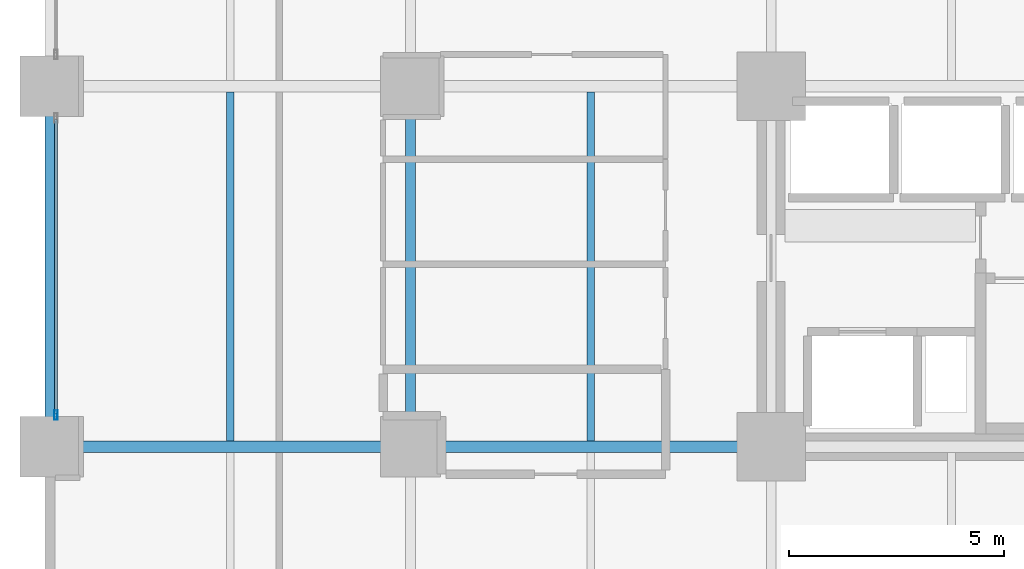
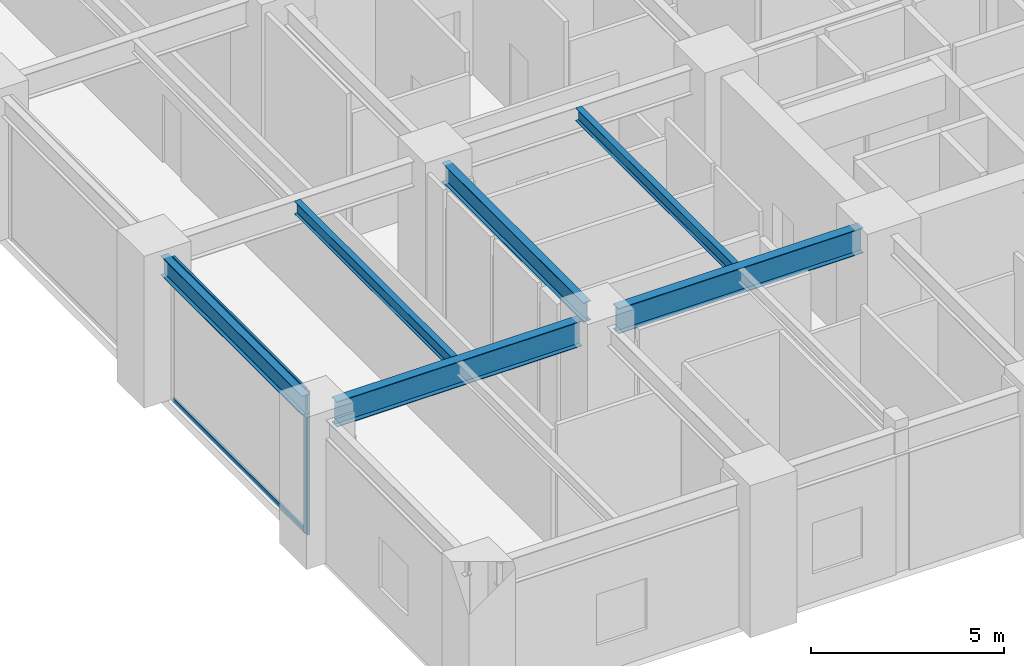
# One storey, part 2 of 24: 6 beams, 3 members, 1 element without a shape of its own.
"""IFC4 building model written with IfcOpenShell, lengths in metres."""

from ifc_helpers import new_model, si_unit, direction, frame, origin, origin_2d, place, context, subcontext, project, spatial, hollow_rectangle, i_section, extrude, material, layer, layer_set, material_profile, profile_set, type_object, element, aggregate, save


model = new_model("IFC4")

# Units and contexts
model_context = context("Model", 3, precision=1e-05, world=origin(), true_north=direction((0.0, 1.0)))
body_context = subcontext(model_context, "Body", "Model", "MODEL_VIEW")
ifc_project = project(units=[si_unit("LENGTHUNIT", "METRE"), si_unit("AREAUNIT", "SQUARE_METRE"), si_unit("VOLUMEUNIT", "CUBIC_METRE"), si_unit("PLANEANGLEUNIT", "RADIAN"), si_unit("MASSUNIT", "GRAM", prefix="KILO")], contexts=[model_context])

# Site, building, storey
site_placement = place(None, origin())
site = spatial("IfcSite", under=ifc_project, at=site_placement, CompositionType="ELEMENT")
building_placement = place(site_placement, origin())
building = spatial("IfcBuilding", under=site, at=building_placement, Name="Nerrivon Quay Data Exchange", CompositionType="ELEMENT")
storey_placement = place(building_placement, frame((0.0, 0.0, 10.199951171875)))
storey = spatial("IfcBuildingStorey", under=building, at=storey_placement, Name="L02", CompositionType="ELEMENT", Elevation=10.199951171875)

# Beams
ifc_material_1 = material(Name="Steel Grade 350", Category="steel")
ifc_material_profile_1 = material_profile(ifc_material_1, i_section(OverallWidth=0.22900390625, OverallDepth=0.612060546875, WebThickness=0.011962890625, FlangeThickness=0.01953125, FilletRadius=0.013916015625, at=origin_2d()), Name="610UB125")
ifc_profile_set_1 = profile_set([ifc_material_profile_1], Name="Steel Grade 350")
beam_type_1 = type_object("IfcBeamType", Name="BM-G1-610UB125", PredefinedType="BEAM", material=ifc_profile_set_1)
for number, where, z_axis, x_axis, name in (
    (1, (0.0, 8.93994140625, 4.218994140625), (0.0, 1.0, 0.0), (-1.0, 0.0, 0.0), "L02 NS Girder X=0.0 (8.4..16.8)"),
    (2, (8.39990234375, 8.93994140625, 4.218994140625), (0.0, 1.0, 0.0), (-1.0, 0.0, 0.0), "L02 NS Girder X=8.4 (8.4..16.8)"),
):
    element("IfcBeam", number, at=place(storey_placement, frame(where, z_axis=z_axis, x_axis=x_axis)), inside=storey, type_object=beam_type_1, Name=name, PredefinedType="BEAM", context=body_context, shape_type="SweptSolid", body=[
        extrude(i_section(OverallWidth=0.22900390625, OverallDepth=0.612060546875, WebThickness=0.011962890625, FlangeThickness=0.01953125, FilletRadius=0.013916015625, at=origin_2d()), origin(), (0.0, 0.0, 1.0), 7.320068359375),
    ])
ifc_material_profile_2 = material_profile(ifc_material_1, i_section(OverallWidth=0.27490234375, OverallDepth=0.800048828125, WebThickness=0.010009765625, FlangeThickness=0.02001953125, at=origin_2d()), Name="800WB146")
ifc_profile_set_2 = profile_set([ifc_material_profile_2], Name="Steel Grade 350")
beam_type_2 = type_object("IfcBeamType", Name="BM-G8-800WB146", PredefinedType="BEAM", material=ifc_profile_set_2)
for number, where, z_axis, x_axis, name in (
    (3, (0.5400390625, 8.39990234375, 4.125), (1.0, 0.0, 0.0), (0.0, 1.0, 0.0), "L02 EW Girder Y=8.4 (0.0..8.4)"),
    (4, (8.93994140625, 8.39990234375, 4.125), (1.0, 0.0, 0.0), (0.0, 1.0, 0.0), "L02 EW Girder Y=8.4 (8.4..16.8)"),
):
    element("IfcBeam", number, at=place(storey_placement, frame(where, z_axis=z_axis, x_axis=x_axis)), inside=storey, type_object=beam_type_2, Name=name, PredefinedType="BEAM", context=body_context, shape_type="SweptSolid", body=[
        extrude(i_section(OverallWidth=0.27490234375, OverallDepth=0.800048828125, WebThickness=0.010009765625, FlangeThickness=0.02001953125, at=origin_2d()), origin(), (0.0, 0.0, 1.0), 7.320068359375),
    ])
ifc_material_profile_3 = material_profile(ifc_material_1, i_section(OverallWidth=0.177978515625, OverallDepth=0.403076171875, WebThickness=0.007568359375, FlangeThickness=0.010986328125, FilletRadius=0.011474609375, at=origin_2d()), Name="410UB53.7")
ifc_profile_set_3 = profile_set([ifc_material_profile_3], Name="Steel Grade 350")
beam_type_3 = type_object("IfcBeamType", Name="BM-J2-410UB54", PredefinedType="JOIST", material=ifc_profile_set_3)
for number, where, z_axis, x_axis, name in (
    (5, (4.199951171875, 8.53759765625, 4.323486328125), (0.0, 1.0, 0.0), (-1.0, 0.0, 0.0), "L02 Secondary Joist X=4.2 (8.4..16.8)"),
    (6, (12.60009765625, 8.53759765625, 4.323486328125), (0.0, 1.0, 0.0), (-1.0, 0.0, 0.0), "L02 Secondary Joist X=12.6 (8.4..16.8)"),
):
    element("IfcBeam", number, at=place(storey_placement, frame(where, z_axis=z_axis, x_axis=x_axis)), inside=storey, type_object=beam_type_3, Name=name, PredefinedType="JOIST", context=body_context, shape_type="SweptSolid", body=[
        extrude(i_section(OverallWidth=0.177978515625, OverallDepth=0.403076171875, WebThickness=0.007568359375, FlangeThickness=0.010986328125, FilletRadius=0.011474609375, at=origin_2d()), origin(), (0.0, 0.0, 1.0), 8.125),
    ])

# Curtain wall, members
ifc_material_2 = material(Name="Anodised aluminium 6063-T6", Category="aluminium")
ifc_layer = layer(ifc_material_2, 0.239990234375)
ifc_layer_set = layer_set([ifc_layer], Name="Anodised aluminium 6063-T6")
curtain_wall_type = type_object("IfcCurtainWallType", Name="CW-SYS-03", PredefinedType="NOTDEFINED", material=ifc_layer_set)
curtain_wall_placement = place(storey_placement, origin())
curtain_wall = element("IfcCurtainWall", 7, at=curtain_wall_placement, inside=storey, type_object=curtain_wall_type, Name="L02 Unitised Curtain Wall 2", PredefinedType="NOTDEFINED")
ifc_material_profile_4 = material_profile(ifc_material_2, hollow_rectangle(XDim=0.074951171875, YDim=0.219970703125, WallThickness=0.00390625, at=origin_2d()), Name="ALU-MULL-220x75")
ifc_profile_set_4 = profile_set([ifc_material_profile_4], Name="Anodised aluminium 6063-T6")
member_type_1 = type_object("IfcMemberType", Name="CWM-220x75", PredefinedType="MULLION", material=ifc_profile_set_4)
member_1_placement = place(storey_placement, frame((0.139892578125, 9.137451171875, 0.0), z_axis=(0.0, 0.0, 1.0), x_axis=(-1.0, 0.0, 0.0)))
member_1 = element("IfcMember", 8, at=member_1_placement, type_object=member_type_1, Name="CW03 mullion 1", PredefinedType="MULLION", context=body_context, shape_type="SweptSolid", body=[
    extrude(hollow_rectangle(XDim=0.074951171875, YDim=0.219970703125, WallThickness=0.00390625, at=origin_2d()), origin(), (0.0, 0.0, 1.0), 4.525146484375),
])
ifc_material_profile_5 = material_profile(ifc_material_2, hollow_rectangle(XDim=0.06494140625, YDim=0.14990234375, WallThickness=0.00341796875, at=origin_2d()), Name="ALU-TRAN-150x65")
ifc_profile_set_5 = profile_set([ifc_material_profile_5], Name="Anodised aluminium 6063-T6")
member_type_2 = type_object("IfcMemberType", Name="CWT-150x65", PredefinedType="USERDEFINED", material=ifc_profile_set_5)
member_2_placement = place(storey_placement, frame((0.139892578125, 9.175048828125, 0.032470703125), z_axis=(0.0, 1.0, 0.0), x_axis=(-1.0, 0.0, 0.0)))
member_2 = element("IfcMember", 9, at=member_2_placement, type_object=member_type_2, Name="CW03 transom 1.1", ObjectType="TRANSOM", PredefinedType="USERDEFINED", context=body_context, shape_type="SweptSolid", body=[
    extrude(hollow_rectangle(XDim=0.06494140625, YDim=0.14990234375, WallThickness=0.00341796875, at=origin_2d()), origin(), (0.0, 0.0, 1.0), 6.849853515625),
])
member_3_placement = place(storey_placement, frame((0.139892578125, 9.175048828125, 4.492431640625), z_axis=(0.0, 1.0, 0.0), x_axis=(-1.0, 0.0, 0.0)))
member_3 = element("IfcMember", 10, at=member_3_placement, type_object=member_type_2, Name="CW03 transom 1.2", ObjectType="TRANSOM", PredefinedType="USERDEFINED", context=body_context, shape_type="SweptSolid", body=[
    extrude(hollow_rectangle(XDim=0.06494140625, YDim=0.14990234375, WallThickness=0.00341796875, at=origin_2d()), origin(), (0.0, 0.0, 1.0), 6.849853515625),
])
aggregate(curtain_wall, [member_1, member_2, member_3])

save(model, "model.ifc")
